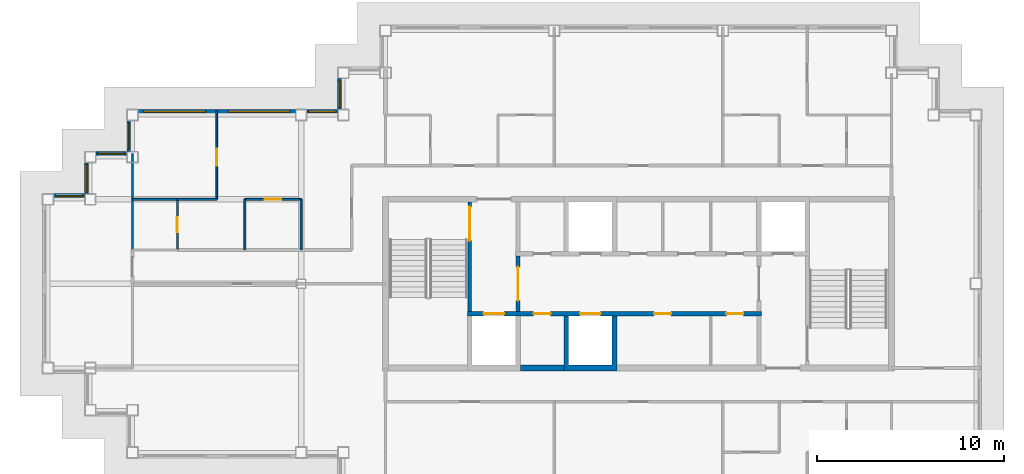
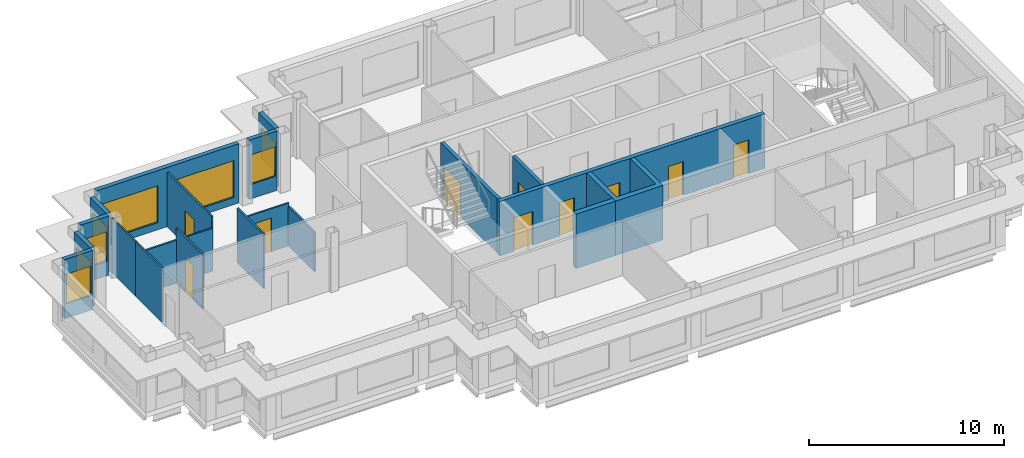
# One storey, part 3 of 11: 21 walls, 10 doors, 8 windows, 18 openings.
"""IFC4 building model written with IfcOpenShell, lengths in metres."""

from ifc_helpers import new_model, si_unit, direction, frame, frame_2d, origin, place, context, subcontext, project, spatial, polyline, rectangle, outline, extrude, material, layer, layer_set, type_object, element, fill, save


model = new_model("IFC4")

# Units and contexts
model_context = context("Model", 3, precision=1e-05, world=origin(), true_north=direction((0.0, 1.0)))
body_context = subcontext(model_context, "Body", "Model", "MODEL_VIEW")
ifc_project = project(units=[si_unit("LENGTHUNIT", "METRE"), si_unit("AREAUNIT", "SQUARE_METRE"), si_unit("VOLUMEUNIT", "CUBIC_METRE"), si_unit("PLANEANGLEUNIT", "RADIAN"), si_unit("MASSUNIT", "GRAM", prefix="KILO")], contexts=[model_context])

# Site, building, storey
site_placement = place(None, origin())
site = spatial("IfcSite", under=ifc_project, at=site_placement, CompositionType="ELEMENT")
building_placement = place(site_placement, origin())
building = spatial("IfcBuilding", under=site, at=building_placement, Name="Caravel Reach Hotel and Residences", CompositionType="ELEMENT")
storey_placement = place(building_placement, frame((0.0, 0.0, 260.10009765625)))
storey = spatial("IfcBuildingStorey", under=building, at=storey_placement, Name="L66", CompositionType="ELEMENT", Elevation=260.10009765625)

# Walls
ifc_material_1 = material(Name="Gypsum board on steel stud", Category="steel")
ifc_layer_1 = layer(ifc_material_1, 0.10009765625)
ifc_layer_set_1 = layer_set([ifc_layer_1], Name="Bathroom pod wall 100 mm")
wall_type_1 = type_object("IfcWallType", Name="Bathroom pod wall 100 mm", PredefinedType="PARTITIONING", material=ifc_layer_set_1)
wall_1_placement = place(storey_placement, frame((4.5, 31.5, 0.0), z_axis=(0.0, 0.0, 1.0), x_axis=(1.0, 0.0, 0.0)))
element("IfcWall", 1, at=wall_1_placement, inside=storey, type_object=wall_type_1, Name="L66 wall w053", PredefinedType="PARTITIONING", context=body_context, shape_type="SweptSolid", body=[
    extrude(rectangle(XDim=2.39990234375, YDim=0.10009765625, at=frame_2d((1.199951171875, 0.0))), origin(), (0.0, 0.0, 1.0), 2.679931640625),
])
wall_2_placement = place(storey_placement, frame((4.5, 28.800048828125, 0.0), z_axis=(0.0, 0.0, 1.0), x_axis=(0.0, 1.0, 0.0)))
element("IfcWall", 2, at=wall_2_placement, inside=storey, type_object=wall_type_1, Name="L66 wall w060", PredefinedType="PARTITIONING", context=body_context, shape_type="SweptSolid", body=[
    extrude(rectangle(XDim=2.699951171875, YDim=0.10009765625, at=frame_2d((1.35009765625, 0.0))), origin(), (0.0, 0.0, 1.0), 3.39990234375),
])

# Wall, opening, door
wall_3_placement = place(storey_placement, frame((6.89990234375, 28.800048828125, 0.0), z_axis=(0.0, 0.0, 1.0), x_axis=(0.0, 1.0, 0.0)))
wall_3 = element("IfcWall", 3, at=wall_3_placement, inside=storey, type_object=wall_type_1, Name="L66 wall w065", PredefinedType="PARTITIONING", context=body_context, shape_type="SweptSolid", body=[
    extrude(rectangle(XDim=2.699951171875, YDim=0.10009765625, at=frame_2d((1.35009765625, 0.0))), origin(), (0.0, 0.0, 1.0), 3.39990234375),
])
opening_1_placement = place(wall_3_placement, frame((0.949951171875, 0.0, 0.0)))
opening_1 = element("IfcOpeningElement", 4, at=opening_1_placement, cuts=wall_3, Name="Opening D66-027", PredefinedType="OPENING", context=body_context, shape_type="SweptSolid", body=[
    extrude(rectangle(XDim=0.800048828125, YDim=2.10009765625, at=frame_2d((0.39990234375, 1.050048828125))), frame((0.0, 0.06005859375, 0.0), z_axis=(0.0, -1.0, 0.0), x_axis=(1.0, 0.0, 0.0)), (0.0, 0.0, 1.0), 0.1201171875),
])
ifc_material_2 = material(Name="Timber and steel door leaf", Category="steel")
door_type_1 = type_object("IfcDoorType", Name="Bathroom door 800 x 2100", OperationType="SINGLE_SWING_LEFT", PredefinedType="DOOR", material=ifc_material_2)
door_1_placement = place(opening_1_placement, origin())
door_1 = element("IfcDoor", 5, at=door_1_placement, inside=storey, type_object=door_type_1, Name="door D66-027", OperationType="SINGLE_SWING_LEFT", OverallHeight=2.10009765625, OverallWidth=0.800048828125, PredefinedType="DOOR", context=body_context, shape_type="SweptSolid", body=[
    extrude(rectangle(XDim=0.800048828125, YDim=2.10009765625, at=frame_2d((0.39990234375, 1.050048828125))), frame((0.0, 0.02490234375, 0.0), z_axis=(0.0, -1.0, 0.0), x_axis=(1.0, 0.0, 0.0)), (0.0, 0.0, 1.0), 0.050048828125),
])
fill(opening_1, door_1)

# Wall
ifc_material_3 = material(Name="Concrete C60", Category="concrete")
ifc_layer_2 = layer(ifc_material_3, 0.300048828125)
ifc_layer_set_2 = layer_set([ifc_layer_2], Name="Core wall 300 mm EI 120")
wall_type_2 = type_object("IfcWallType", Name="Core wall 300 mm EI 120", PredefinedType="SHEAR", material=ifc_layer_set_2)
wall_4_placement = place(storey_placement, frame((25.196533203125, 22.5, 0.0), z_axis=(0.0, 0.0, 1.0), x_axis=(1.0, 0.0, 0.0)))
element("IfcWall", 6, at=wall_4_placement, inside=storey, type_object=wall_type_2, Name="L66 core wall S2", PredefinedType="SHEAR", context=body_context, shape_type="SweptSolid", body=[
    extrude(rectangle(XDim=2.3212890625, YDim=0.300048828125, at=frame_2d((1.16064453125, 0.0))), origin(), (0.0, 0.0, 1.0), 3.39990234375),
])

# Wall, opening, window
ifc_material_4 = material(Name="Insulated rainscreen wall, aluminium cladding", Category="aluminium")
ifc_layer_3 = layer(ifc_material_4, 0.25)
ifc_layer_set_3 = layer_set([ifc_layer_3], Name="EW1 Tower rainscreen wall")
wall_type_3 = type_object("IfcWallType", Name="EW1 Tower rainscreen wall", PredefinedType="SOLIDWALL", material=ifc_layer_set_3)
wall_5_placement = place(storey_placement, frame((15.574951171875, 37.949951171875, 0.0), z_axis=(0.0, 0.0, 1.0), x_axis=(0.0, -1.0, 0.0)))
wall_5 = element("IfcWall", 7, at=wall_5_placement, inside=storey, type_object=wall_type_3, Name="External wall L66 W17.1", PredefinedType="SOLIDWALL", context=body_context, shape_type="SweptSolid", body=[
    extrude(rectangle(XDim=1.64990234375, YDim=0.25, at=frame_2d((0.824951171875, 0.0))), origin(), (0.0, 0.0, 1.0), 3.699951171875),
])
opening_2_placement = place(wall_5_placement, frame((0.10009765625, 0.0, 0.89990234375)))
opening_2 = element("IfcOpeningElement", 8, at=opening_2_placement, cuts=wall_5, Name="Opening WN25", PredefinedType="OPENING", context=body_context, shape_type="SweptSolid", body=[
    extrude(rectangle(XDim=1.449951171875, YDim=1.85009765625, at=frame_2d((0.72509765625, 0.925048828125))), frame((0.0, 0.135009765625, 0.0), z_axis=(0.0, -1.0, 0.0), x_axis=(1.0, 0.0, 0.0)), (0.0, 0.0, 1.0), 0.27001953125),
])
ifc_material_5 = material(Name="Dark low-e glazing in black aluminium frame", Category="aluminium")
window_type_1 = type_object("IfcWindowType", Name="Residence bedroom window 1450 x 1850", PartitioningType="SINGLE_PANEL", PredefinedType="WINDOW", material=ifc_material_5)
window_1_placement = place(opening_2_placement, origin())
window_1 = element("IfcWindow", 9, at=window_1_placement, inside=storey, type_object=window_type_1, Name="Window L66 W17.1.1", OverallHeight=1.85009765625, OverallWidth=1.449951171875, PartitioningType="SINGLE_PANEL", PredefinedType="WINDOW", context=body_context, shape_type="SweptSolid", body=[
    extrude(rectangle(XDim=1.449951171875, YDim=1.85009765625, at=frame_2d((0.72509765625, 0.925048828125))), frame((0.0, 0.030029296875, 0.0), z_axis=(0.0, -1.0, 0.0), x_axis=(1.0, 0.0, 0.0)), (0.0, 0.0, 1.0), 0.06005859375),
])
fill(opening_2, window_1)

wall_6_placement = place(storey_placement, frame((15.449951171875, 36.175048828125, 0.0), z_axis=(0.0, 0.0, 1.0), x_axis=(-1.0, 0.0, 0.0)))
wall_6 = element("IfcWall", 10, at=wall_6_placement, inside=storey, type_object=wall_type_3, Name="External wall L66 N18.1", PredefinedType="SOLIDWALL", context=body_context, shape_type="SweptSolid", body=[
    extrude(rectangle(XDim=1.64990234375, YDim=0.25, at=frame_2d((0.824951171875, 0.0))), origin(), (0.0, 0.0, 1.0), 3.699951171875),
])
opening_3_placement = place(wall_6_placement, frame((0.10009765625, 0.0, 0.89990234375)))
opening_3 = element("IfcOpeningElement", 11, at=opening_3_placement, cuts=wall_6, Name="Opening WN25", PredefinedType="OPENING", context=body_context, shape_type="SweptSolid", body=[
    extrude(rectangle(XDim=1.449951171875, YDim=1.85009765625, at=frame_2d((0.72509765625, 0.925048828125))), frame((0.0, 0.135009765625, 0.0), z_axis=(0.0, -1.0, 0.0), x_axis=(1.0, 0.0, 0.0)), (0.0, 0.0, 1.0), 0.27001953125),
])
window_2_placement = place(opening_3_placement, origin())
window_2 = element("IfcWindow", 12, at=window_2_placement, inside=storey, type_object=window_type_1, Name="Window L66 N18.1.1", OverallHeight=1.85009765625, OverallWidth=1.449951171875, PartitioningType="SINGLE_PANEL", PredefinedType="WINDOW", context=body_context, shape_type="SweptSolid", body=[
    extrude(rectangle(XDim=1.449951171875, YDim=1.85009765625, at=frame_2d((0.72509765625, 0.925048828125))), frame((0.0, 0.030029296875, 0.0), z_axis=(0.0, -1.0, 0.0), x_axis=(1.0, 0.0, 0.0)), (0.0, 0.0, 1.0), 0.06005859375),
])
fill(opening_3, window_2)

# Wall, openings, windows
wall_7_placement = place(storey_placement, frame((13.199951171875, 36.175048828125, 0.0), z_axis=(0.0, 0.0, 1.0), x_axis=(-1.0, 0.0, 0.0)))
wall_7 = element("IfcWall", 13, at=wall_7_placement, inside=storey, type_object=wall_type_3, Name="External wall L66 N18.2", PredefinedType="SOLIDWALL", context=body_context, shape_type="SweptSolid", body=[
    extrude(rectangle(XDim=8.39990234375, YDim=0.25, at=frame_2d((4.199951171875, 0.0))), origin(), (0.0, 0.0, 1.0), 3.699951171875),
])
opening_4_placement = place(wall_7_placement, frame((0.300048828125, 0.0, 0.449951171875)))
opening_4 = element("IfcOpeningElement", 14, at=opening_4_placement, cuts=wall_7, Name="Opening WN15", PredefinedType="OPENING", context=body_context, shape_type="SweptSolid", body=[
    extrude(rectangle(XDim=3.300048828125, YDim=2.300048828125, at=frame_2d((1.64990234375, 1.14990234375))), frame((0.0, 0.135009765625, 0.0), z_axis=(0.0, -1.0, 0.0), x_axis=(1.0, 0.0, 0.0)), (0.0, 0.0, 1.0), 0.27001953125),
])
opening_5_placement = place(wall_7_placement, frame((4.800048828125, 0.0, 0.449951171875)))
opening_5 = element("IfcOpeningElement", 15, at=opening_5_placement, cuts=wall_7, Name="Opening WN15", PredefinedType="OPENING", context=body_context, shape_type="SweptSolid", body=[
    extrude(rectangle(XDim=3.300048828125, YDim=2.300048828125, at=frame_2d((1.64990234375, 1.14990234375))), frame((0.0, 0.135009765625, 0.0), z_axis=(0.0, -1.0, 0.0), x_axis=(1.0, 0.0, 0.0)), (0.0, 0.0, 1.0), 0.27001953125),
])
ifc_material_6 = material(Name="Dark low-e glazing in black aluminium frame", Category="aluminium")
window_type_2 = type_object("IfcWindowType", Name="Residence living window 3300 x 2300", PartitioningType="SINGLE_PANEL", PredefinedType="WINDOW", material=ifc_material_6)
window_3_placement = place(opening_4_placement, origin())
window_3 = element("IfcWindow", 16, at=window_3_placement, inside=storey, type_object=window_type_2, Name="Window L66 N18.2.1", OverallHeight=2.300048828125, OverallWidth=3.300048828125, PartitioningType="SINGLE_PANEL", PredefinedType="WINDOW", context=body_context, shape_type="SweptSolid", body=[
    extrude(rectangle(XDim=3.300048828125, YDim=2.300048828125, at=frame_2d((1.64990234375, 1.14990234375))), frame((0.0, 0.030029296875, 0.0), z_axis=(0.0, -1.0, 0.0), x_axis=(1.0, 0.0, 0.0)), (0.0, 0.0, 1.0), 0.06005859375),
])
fill(opening_4, window_3)
window_4_placement = place(opening_5_placement, origin())
window_4 = element("IfcWindow", 17, at=window_4_placement, inside=storey, type_object=window_type_2, Name="Window L66 N18.2.2", OverallHeight=2.300048828125, OverallWidth=3.300048828125, PartitioningType="SINGLE_PANEL", PredefinedType="WINDOW", context=body_context, shape_type="SweptSolid", body=[
    extrude(rectangle(XDim=3.300048828125, YDim=2.300048828125, at=frame_2d((1.64990234375, 1.14990234375))), frame((0.0, 0.030029296875, 0.0), z_axis=(0.0, -1.0, 0.0), x_axis=(1.0, 0.0, 0.0)), (0.0, 0.0, 1.0), 0.06005859375),
])
fill(opening_5, window_4)

# Wall, opening, window
wall_8_placement = place(storey_placement, frame((4.324951171875, 35.699951171875, 0.0), z_axis=(0.0, 0.0, 1.0), x_axis=(0.0, -1.0, 0.0)))
wall_8 = element("IfcWall", 18, at=wall_8_placement, inside=storey, type_object=wall_type_3, Name="External wall L66 W19.1", PredefinedType="SOLIDWALL", context=body_context, shape_type="SweptSolid", body=[
    extrude(rectangle(XDim=1.64990234375, YDim=0.25, at=frame_2d((0.824951171875, 0.0))), origin(), (0.0, 0.0, 1.0), 3.699951171875),
])
opening_6_placement = place(wall_8_placement, frame((0.10009765625, 0.0, 0.89990234375)))
opening_6 = element("IfcOpeningElement", 19, at=opening_6_placement, cuts=wall_8, Name="Opening WN25", PredefinedType="OPENING", context=body_context, shape_type="SweptSolid", body=[
    extrude(rectangle(XDim=1.449951171875, YDim=1.85009765625, at=frame_2d((0.72509765625, 0.925048828125))), frame((0.0, 0.135009765625, 0.0), z_axis=(0.0, -1.0, 0.0), x_axis=(1.0, 0.0, 0.0)), (0.0, 0.0, 1.0), 0.27001953125),
])
window_5_placement = place(opening_6_placement, origin())
window_5 = element("IfcWindow", 20, at=window_5_placement, inside=storey, type_object=window_type_1, Name="Window L66 W19.1.1", OverallHeight=1.85009765625, OverallWidth=1.449951171875, PartitioningType="SINGLE_PANEL", PredefinedType="WINDOW", context=body_context, shape_type="SweptSolid", body=[
    extrude(rectangle(XDim=1.449951171875, YDim=1.85009765625, at=frame_2d((0.72509765625, 0.925048828125))), frame((0.0, 0.030029296875, 0.0), z_axis=(0.0, -1.0, 0.0), x_axis=(1.0, 0.0, 0.0)), (0.0, 0.0, 1.0), 0.06005859375),
])
fill(opening_6, window_5)

wall_9_placement = place(storey_placement, frame((4.199951171875, 33.925048828125, 0.0), z_axis=(0.0, 0.0, 1.0), x_axis=(-1.0, 0.0, 0.0)))
wall_9 = element("IfcWall", 21, at=wall_9_placement, inside=storey, type_object=wall_type_3, Name="External wall L66 N20.1", PredefinedType="SOLIDWALL", context=body_context, shape_type="SweptSolid", body=[
    extrude(rectangle(XDim=1.64990234375, YDim=0.25, at=frame_2d((0.824951171875, 0.0))), origin(), (0.0, 0.0, 1.0), 3.699951171875),
])
opening_7_placement = place(wall_9_placement, frame((0.10009765625, 0.0, 0.89990234375)))
opening_7 = element("IfcOpeningElement", 22, at=opening_7_placement, cuts=wall_9, Name="Opening WN25", PredefinedType="OPENING", context=body_context, shape_type="SweptSolid", body=[
    extrude(rectangle(XDim=1.449951171875, YDim=1.85009765625, at=frame_2d((0.72509765625, 0.925048828125))), frame((0.0, 0.135009765625, 0.0), z_axis=(0.0, -1.0, 0.0), x_axis=(1.0, 0.0, 0.0)), (0.0, 0.0, 1.0), 0.27001953125),
])
window_6_placement = place(opening_7_placement, origin())
window_6 = element("IfcWindow", 23, at=window_6_placement, inside=storey, type_object=window_type_1, Name="Window L66 N20.1.1", OverallHeight=1.85009765625, OverallWidth=1.449951171875, PartitioningType="SINGLE_PANEL", PredefinedType="WINDOW", context=body_context, shape_type="SweptSolid", body=[
    extrude(rectangle(XDim=1.449951171875, YDim=1.85009765625, at=frame_2d((0.72509765625, 0.925048828125))), frame((0.0, 0.030029296875, 0.0), z_axis=(0.0, -1.0, 0.0), x_axis=(1.0, 0.0, 0.0)), (0.0, 0.0, 1.0), 0.06005859375),
])
fill(opening_7, window_6)

wall_10_placement = place(storey_placement, frame((2.074951171875, 33.449951171875, 0.0), z_axis=(0.0, 0.0, 1.0), x_axis=(0.0, -1.0, 0.0)))
wall_10 = element("IfcWall", 24, at=wall_10_placement, inside=storey, type_object=wall_type_3, Name="External wall L66 W21.1", PredefinedType="SOLIDWALL", context=body_context, shape_type="SweptSolid", body=[
    extrude(rectangle(XDim=1.64990234375, YDim=0.25, at=frame_2d((0.824951171875, 0.0))), origin(), (0.0, 0.0, 1.0), 3.699951171875),
])
opening_8_placement = place(wall_10_placement, frame((0.10009765625, 0.0, 0.89990234375)))
opening_8 = element("IfcOpeningElement", 25, at=opening_8_placement, cuts=wall_10, Name="Opening WN25", PredefinedType="OPENING", context=body_context, shape_type="SweptSolid", body=[
    extrude(rectangle(XDim=1.449951171875, YDim=1.85009765625, at=frame_2d((0.72509765625, 0.925048828125))), frame((0.0, 0.135009765625, 0.0), z_axis=(0.0, -1.0, 0.0), x_axis=(1.0, 0.0, 0.0)), (0.0, 0.0, 1.0), 0.27001953125),
])
window_7_placement = place(opening_8_placement, origin())
window_7 = element("IfcWindow", 26, at=window_7_placement, inside=storey, type_object=window_type_1, Name="Window L66 W21.1.1", OverallHeight=1.85009765625, OverallWidth=1.449951171875, PartitioningType="SINGLE_PANEL", PredefinedType="WINDOW", context=body_context, shape_type="SweptSolid", body=[
    extrude(rectangle(XDim=1.449951171875, YDim=1.85009765625, at=frame_2d((0.72509765625, 0.925048828125))), frame((0.0, 0.030029296875, 0.0), z_axis=(0.0, -1.0, 0.0), x_axis=(1.0, 0.0, 0.0)), (0.0, 0.0, 1.0), 0.06005859375),
])
fill(opening_8, window_7)

wall_11_placement = place(storey_placement, frame((1.949951171875, 31.675048828125, 0.0), z_axis=(0.0, 0.0, 1.0), x_axis=(-1.0, 0.0, 0.0)))
wall_11 = element("IfcWall", 27, at=wall_11_placement, inside=storey, type_object=wall_type_3, Name="External wall L66 N22.1", PredefinedType="SOLIDWALL", context=body_context, shape_type="SweptSolid", body=[
    extrude(rectangle(XDim=1.64990234375, YDim=0.25, at=frame_2d((0.824951171875, 0.0))), origin(), (0.0, 0.0, 1.0), 3.699951171875),
])
opening_9_placement = place(wall_11_placement, frame((0.10009765625, 0.0, 0.89990234375)))
opening_9 = element("IfcOpeningElement", 28, at=opening_9_placement, cuts=wall_11, Name="Opening WN25", PredefinedType="OPENING", context=body_context, shape_type="SweptSolid", body=[
    extrude(rectangle(XDim=1.449951171875, YDim=1.85009765625, at=frame_2d((0.72509765625, 0.925048828125))), frame((0.0, 0.135009765625, 0.0), z_axis=(0.0, -1.0, 0.0), x_axis=(1.0, 0.0, 0.0)), (0.0, 0.0, 1.0), 0.27001953125),
])
window_8_placement = place(opening_9_placement, origin())
window_8 = element("IfcWindow", 29, at=window_8_placement, inside=storey, type_object=window_type_1, Name="Window L66 N22.1.1", OverallHeight=1.85009765625, OverallWidth=1.449951171875, PartitioningType="SINGLE_PANEL", PredefinedType="WINDOW", context=body_context, shape_type="SweptSolid", body=[
    extrude(rectangle(XDim=1.449951171875, YDim=1.85009765625, at=frame_2d((0.72509765625, 0.925048828125))), frame((0.0, 0.030029296875, 0.0), z_axis=(0.0, -1.0, 0.0), x_axis=(1.0, 0.0, 0.0)), (0.0, 0.0, 1.0), 0.06005859375),
])
fill(opening_9, window_8)

# Wall, opening, door
ifc_material_7 = material(Name="Autoclaved aerated block wall")
ifc_layer_4 = layer(ifc_material_7, 0.199951171875)
ifc_layer_set_4 = layer_set([ifc_layer_4], Name="Fire lobby wall 200 mm EI 120")
wall_type_4 = type_object("IfcWallType", Name="Fire lobby wall 200 mm EI 120", PredefinedType="PARTITIONING", material=ifc_layer_set_4)
wall_12_placement = place(storey_placement, frame((25.071533203125, 25.52490234375, 0.0), z_axis=(0.0, 0.0, 1.0), x_axis=(0.0, 1.0, 0.0)))
wall_12 = element("IfcWall", 30, at=wall_12_placement, inside=storey, type_object=wall_type_4, Name="L66 lobby W wall", PredefinedType="PARTITIONING", context=body_context, shape_type="SweptSolid", body=[
    extrude(rectangle(XDim=2.9501953125, YDim=0.199951171875, at=frame_2d((1.47509765625, 0.0))), origin(), (0.0, 0.0, 1.0), 3.39990234375),
])
opening_10_placement = place(wall_12_placement, frame((0.574951171875, 0.0, 0.0)))
opening_10 = element("IfcOpeningElement", 31, at=opening_10_placement, cuts=wall_12, Name="Opening D66-014", PredefinedType="OPENING", context=body_context, shape_type="SweptSolid", body=[
    extrude(rectangle(XDim=1.800048828125, YDim=2.10009765625, at=frame_2d((0.89990234375, 1.050048828125))), frame((0.0, 0.10986328125, 0.0), z_axis=(0.0, -1.0, 0.0), x_axis=(1.0, 0.0, 0.0)), (0.0, 0.0, 1.0), 0.219970703125),
])
ifc_material_8 = material(Name="Steel fire door leaf", Category="steel")
door_type_2 = type_object("IfcDoorType", Name="Fire lobby door pair 1800 x 2100 EI 90", OperationType="DOUBLE_DOOR_SINGLE_SWING", PredefinedType="DOOR", material=ifc_material_8)
door_2_placement = place(opening_10_placement, origin())
door_2 = element("IfcDoor", 32, at=door_2_placement, inside=storey, type_object=door_type_2, Name="lobby W door pair", OperationType="DOUBLE_DOOR_SINGLE_SWING", OverallHeight=2.10009765625, OverallWidth=1.800048828125, PredefinedType="DOOR", context=body_context, shape_type="SweptSolid", body=[
    extrude(rectangle(XDim=1.800048828125, YDim=2.10009765625, at=frame_2d((0.89990234375, 1.050048828125))), frame((0.0, 0.02490234375, 0.0), z_axis=(0.0, -1.0, 0.0), x_axis=(1.0, 0.0, 0.0)), (0.0, 0.0, 1.0), 0.050048828125),
])
fill(opening_10, door_2)

# Wall
ifc_material_9 = material(Name="Gypsum board on steel stud", Category="steel")
ifc_layer_5 = layer(ifc_material_9, 0.10009765625)
ifc_layer_set_5 = layer_set([ifc_layer_5], Name="Partition 100 mm")
wall_type_5 = type_object("IfcWallType", Name="Partition 100 mm", PredefinedType="PARTITIONING", material=ifc_layer_set_5)
wall_13_placement = place(storey_placement, frame((6.89990234375, 31.5, 0.0), z_axis=(0.0, 0.0, 1.0), x_axis=(1.0, 0.0, 0.0)))
element("IfcWall", 33, at=wall_13_placement, inside=storey, type_object=wall_type_5, Name="L66 wall w024", PredefinedType="PARTITIONING", context=body_context, shape_type="SweptSolid", body=[
    extrude(rectangle(XDim=2.10009765625, YDim=0.10009765625, at=frame_2d((1.050048828125, 0.0))), origin(), (0.0, 0.0, 1.0), 2.679931640625),
])

# Wall, opening, door
wall_14_placement = place(storey_placement, frame((10.5, 31.5, 0.0), z_axis=(0.0, 0.0, 1.0), x_axis=(1.0, 0.0, 0.0)))
wall_14 = element("IfcWall", 34, at=wall_14_placement, inside=storey, type_object=wall_type_5, Name="L66 wall w025", PredefinedType="PARTITIONING", context=body_context, shape_type="SweptSolid", body=[
    extrude(rectangle(XDim=3.0, YDim=0.10009765625, at=frame_2d((1.5, 0.0))), origin(), (0.0, 0.0, 1.0), 2.679931640625),
])
opening_11_placement = place(wall_14_placement, frame((1.050048828125, 0.0, 0.0)))
opening_11 = element("IfcOpeningElement", 35, at=opening_11_placement, cuts=wall_14, Name="Opening D66-028", PredefinedType="OPENING", context=body_context, shape_type="SweptSolid", body=[
    extrude(rectangle(XDim=0.89990234375, YDim=2.10009765625, at=frame_2d((0.449951171875, 1.050048828125))), frame((0.0, 0.06005859375, 0.0), z_axis=(0.0, -1.0, 0.0), x_axis=(1.0, 0.0, 0.0)), (0.0, 0.0, 1.0), 0.1201171875),
])
ifc_material_10 = material(Name="Timber and steel door leaf", Category="steel")
door_type_3 = type_object("IfcDoorType", Name="Door 900 x 2100 timber", OperationType="SINGLE_SWING_LEFT", PredefinedType="DOOR", material=ifc_material_10)
door_3_placement = place(opening_11_placement, origin())
door_3 = element("IfcDoor", 36, at=door_3_placement, inside=storey, type_object=door_type_3, Name="door D66-028", OperationType="SINGLE_SWING_RIGHT", OverallHeight=2.10009765625, OverallWidth=0.89990234375, PredefinedType="DOOR", context=body_context, shape_type="SweptSolid", body=[
    extrude(rectangle(XDim=0.89990234375, YDim=2.10009765625, at=frame_2d((0.449951171875, 1.050048828125))), frame((0.0, 0.02490234375, 0.0), z_axis=(0.0, -1.0, 0.0), x_axis=(1.0, 0.0, 0.0)), (0.0, 0.0, 1.0), 0.050048828125),
])
fill(opening_11, door_3)

# Walls
wall_15_placement = place(storey_placement, frame((10.5, 28.800048828125, 0.0), z_axis=(0.0, 0.0, 1.0), x_axis=(0.0, 1.0, 0.0)))
element("IfcWall", 37, at=wall_15_placement, inside=storey, type_object=wall_type_5, Name="L66 wall w029", PredefinedType="PARTITIONING", context=body_context, shape_type="SweptSolid", body=[
    extrude(rectangle(XDim=2.699951171875, YDim=0.10009765625, at=frame_2d((1.35009765625, 0.0))), origin(), (0.0, 0.0, 1.0), 3.39990234375),
])
wall_16_placement = place(storey_placement, frame((13.5, 28.801025390625, 0.0), z_axis=(0.0, 0.0, 1.0), x_axis=(0.0, 1.0, 0.0)))
element("IfcWall", 38, at=wall_16_placement, inside=storey, type_object=wall_type_5, Name="L66 wall w030", PredefinedType="PARTITIONING", context=body_context, shape_type="SweptSolid", body=[
    extrude(rectangle(XDim=2.698974609375, YDim=0.10009765625, at=frame_2d((1.349609375, 0.0))), origin(), (0.0, 0.0, 1.0), 2.47998046875),
])
wall_17_placement = place(storey_placement, frame((4.5, 31.5009765625, 0.0), z_axis=(0.0, 0.0, 1.0), x_axis=(0.0, 1.0, 0.0)))
element("IfcWall", 39, at=wall_17_placement, inside=storey, type_object=wall_type_5, Name="L66 wall w043", PredefinedType="PARTITIONING", context=body_context, shape_type="SweptSolid", body=[
    extrude(rectangle(XDim=2.43896484375, YDim=0.10009765625, at=frame_2d((1.219482421875, 0.0))), origin(), (0.0, 0.0, 1.0), 3.39990234375),
])

# Wall, opening, door
wall_18_placement = place(storey_placement, frame((9.0, 31.5, 0.0), z_axis=(0.0, 0.0, 1.0), x_axis=(0.0, 1.0, 0.0)))
wall_18 = element("IfcWall", 40, at=wall_18_placement, inside=storey, type_object=wall_type_5, Name="L66 wall w048", PredefinedType="PARTITIONING", context=body_context, shape_type="SweptSolid", body=[
    extrude(rectangle(XDim=4.739990234375, YDim=0.10009765625, at=frame_2d((2.3701171875, 0.0))), origin(), (0.0, 0.0, 1.0), 3.39990234375),
])
opening_12_placement = place(wall_18_placement, frame((1.800048828125, 0.0, 0.0)))
opening_12 = element("IfcOpeningElement", 41, at=opening_12_placement, cuts=wall_18, Name="Opening D66-029", PredefinedType="OPENING", context=body_context, shape_type="SweptSolid", body=[
    extrude(rectangle(XDim=0.89990234375, YDim=2.10009765625, at=frame_2d((0.449951171875, 1.050048828125))), frame((0.0, 0.06005859375, 0.0), z_axis=(0.0, -1.0, 0.0), x_axis=(1.0, 0.0, 0.0)), (0.0, 0.0, 1.0), 0.1201171875),
])
door_4_placement = place(opening_12_placement, origin())
door_4 = element("IfcDoor", 42, at=door_4_placement, inside=storey, type_object=door_type_3, Name="door D66-029", OperationType="SINGLE_SWING_RIGHT", OverallHeight=2.10009765625, OverallWidth=0.89990234375, PredefinedType="DOOR", context=body_context, shape_type="SweptSolid", body=[
    extrude(rectangle(XDim=0.89990234375, YDim=2.10009765625, at=frame_2d((0.449951171875, 1.050048828125))), frame((0.0, 0.02490234375, 0.0), z_axis=(0.0, -1.0, 0.0), x_axis=(1.0, 0.0, 0.0)), (0.0, 0.0, 1.0), 0.050048828125),
])
fill(opening_12, door_4)

# Wall
ifc_material_11 = material(Name="Concrete C60", Category="concrete")
ifc_layer_6 = layer(ifc_material_11, 0.25)
ifc_layer_set_6 = layer_set([ifc_layer_6], Name="Shaft wall 250 mm EI 120")
wall_type_6 = type_object("IfcWallType", Name="Shaft wall 250 mm EI 120", PredefinedType="SHEAR", material=ifc_layer_set_6)
wall_19_placement = place(storey_placement, origin())
element("IfcWall", 43, at=wall_19_placement, inside=storey, type_object=wall_type_6, Name="L66 lift shaft wall S2", PredefinedType="SHEAR", context=body_context, shape_type="SweptSolid", body=[
    extrude(outline(polyline([(27.517822265625, 22.35009765625), (30.33935546875, 22.35009765625), (30.33935546875, 25.27490234375), (30.08935546875, 25.27490234375), (30.08935546875, 22.64990234375), (27.767822265625, 22.64990234375), (27.767822265625, 25.27490234375), (27.517822265625, 25.27490234375), (27.517822265625, 22.35009765625)])), origin(), (0.0, 0.0, 1.0), 3.39990234375),
])

# Wall, openings, doors
wall_20_placement = place(storey_placement, frame((22.375, 25.39990234375, 0.0), z_axis=(0.0, 0.0, 1.0), x_axis=(1.0, 0.0, 0.0)))
wall_20 = element("IfcWall", 44, at=wall_20_placement, inside=storey, type_object=wall_type_6, Name="L66 lobby wall S1", PredefinedType="SHEAR", context=body_context, shape_type="SweptSolid", body=[
    extrude(rectangle(XDim=15.678466796875, YDim=0.25, at=frame_2d((7.83935546875, 0.0))), origin(), (0.0, 0.0, 1.0), 3.39990234375),
])
opening_13_placement = place(wall_20_placement, frame((6.003662109375, 0.0, 0.0)))
opening_13 = element("IfcOpeningElement", 45, at=opening_13_placement, cuts=wall_20, Name="Opening D66-001", PredefinedType="OPENING", context=body_context, shape_type="SweptSolid", body=[
    extrude(rectangle(XDim=1.10009765625, YDim=2.10009765625, at=frame_2d((0.550048828125, 1.050048828125))), frame((0.0, 0.135009765625, 0.0), z_axis=(0.0, -1.0, 0.0), x_axis=(1.0, 0.0, 0.0)), (0.0, 0.0, 1.0), 0.27001953125),
])
opening_14_placement = place(wall_20_placement, frame((0.860595703125, 0.0, 0.0)))
opening_14 = element("IfcOpeningElement", 46, at=opening_14_placement, cuts=wall_20, Name="Opening D66-003", PredefinedType="OPENING", context=body_context, shape_type="SweptSolid", body=[
    extrude(rectangle(XDim=1.10009765625, YDim=2.10009765625, at=frame_2d((0.550048828125, 1.050048828125))), frame((0.0, 0.135009765625, 0.0), z_axis=(0.0, -1.0, 0.0), x_axis=(1.0, 0.0, 0.0)), (0.0, 0.0, 1.0), 0.27001953125),
])
opening_15_placement = place(wall_20_placement, frame((3.531982421875, 0.0, 0.0)))
opening_15 = element("IfcOpeningElement", 47, at=opening_15_placement, cuts=wall_20, Name="Opening D66-005", PredefinedType="OPENING", context=body_context, shape_type="SweptSolid", body=[
    extrude(rectangle(XDim=0.89990234375, YDim=2.10009765625, at=frame_2d((0.449951171875, 1.050048828125))), frame((0.0, 0.135009765625, 0.0), z_axis=(0.0, -1.0, 0.0), x_axis=(1.0, 0.0, 0.0)), (0.0, 0.0, 1.0), 0.27001953125),
])
opening_16_placement = place(wall_20_placement, frame((9.960693359375, 0.0, 0.0)))
opening_16 = element("IfcOpeningElement", 48, at=opening_16_placement, cuts=wall_20, Name="Opening D66-006", PredefinedType="OPENING", context=body_context, shape_type="SweptSolid", body=[
    extrude(rectangle(XDim=0.89990234375, YDim=2.10009765625, at=frame_2d((0.449951171875, 1.050048828125))), frame((0.0, 0.135009765625, 0.0), z_axis=(0.0, -1.0, 0.0), x_axis=(1.0, 0.0, 0.0)), (0.0, 0.0, 1.0), 0.27001953125),
])
opening_17_placement = place(wall_20_placement, frame((13.81787109375, 0.0, 0.0)))
opening_17 = element("IfcOpeningElement", 49, at=opening_17_placement, cuts=wall_20, Name="Opening D66-007", PredefinedType="OPENING", context=body_context, shape_type="SweptSolid", body=[
    extrude(rectangle(XDim=0.89990234375, YDim=2.10009765625, at=frame_2d((0.449951171875, 1.050048828125))), frame((0.0, 0.135009765625, 0.0), z_axis=(0.0, -1.0, 0.0), x_axis=(1.0, 0.0, 0.0)), (0.0, 0.0, 1.0), 0.27001953125),
])
ifc_material_12 = material(Name="Stainless steel landing door", Category="steel")
door_type_4 = type_object("IfcDoorType", Name="Landing door LD 1100 x 2100 sliding", OperationType="DOUBLE_DOOR_SLIDING", PredefinedType="DOOR", material=ifc_material_12)
door_5_placement = place(opening_13_placement, origin())
door_5 = element("IfcDoor", 50, at=door_5_placement, inside=storey, type_object=door_type_4, Name="HP1 landing door", OperationType="DOUBLE_DOOR_SLIDING", OverallHeight=2.10009765625, OverallWidth=1.10009765625, PredefinedType="DOOR", context=body_context, shape_type="SweptSolid", body=[
    extrude(rectangle(XDim=1.10009765625, YDim=2.10009765625, at=frame_2d((0.550048828125, 1.050048828125))), frame((0.0, 0.02490234375, 0.0), z_axis=(0.0, -1.0, 0.0), x_axis=(1.0, 0.0, 0.0)), (0.0, 0.0, 1.0), 0.050048828125),
])
fill(opening_13, door_5)
door_6_placement = place(opening_14_placement, origin())
door_6 = element("IfcDoor", 51, at=door_6_placement, inside=storey, type_object=door_type_4, Name="FL1 landing door", OperationType="DOUBLE_DOOR_SLIDING", OverallHeight=2.10009765625, OverallWidth=1.10009765625, PredefinedType="DOOR", context=body_context, shape_type="SweptSolid", body=[
    extrude(rectangle(XDim=1.10009765625, YDim=2.10009765625, at=frame_2d((0.550048828125, 1.050048828125))), frame((0.0, 0.02490234375, 0.0), z_axis=(0.0, -1.0, 0.0), x_axis=(1.0, 0.0, 0.0)), (0.0, 0.0, 1.0), 0.050048828125),
])
fill(opening_14, door_6)
ifc_material_13 = material(Name="Steel fire door leaf", Category="steel")
door_type_5 = type_object("IfcDoorType", Name="Riser door 900 x 2100 EI 60", OperationType="SINGLE_SWING_LEFT", PredefinedType="DOOR", material=ifc_material_13)
door_7_placement = place(opening_15_placement, origin())
door_7 = element("IfcDoor", 52, at=door_7_placement, inside=storey, type_object=door_type_5, Name="Mail store door", OperationType="SINGLE_SWING_LEFT", OverallHeight=2.10009765625, OverallWidth=0.89990234375, PredefinedType="DOOR", context=body_context, shape_type="SweptSolid", body=[
    extrude(rectangle(XDim=0.89990234375, YDim=2.10009765625, at=frame_2d((0.449951171875, 1.050048828125))), frame((0.0, 0.02490234375, 0.0), z_axis=(0.0, -1.0, 0.0), x_axis=(1.0, 0.0, 0.0)), (0.0, 0.0, 1.0), 0.050048828125),
])
fill(opening_15, door_7)
door_8_placement = place(opening_16_placement, origin())
door_8 = element("IfcDoor", 53, at=door_8_placement, inside=storey, type_object=door_type_5, Name="Package store door", OperationType="SINGLE_SWING_LEFT", OverallHeight=2.10009765625, OverallWidth=0.89990234375, PredefinedType="DOOR", context=body_context, shape_type="SweptSolid", body=[
    extrude(rectangle(XDim=0.89990234375, YDim=2.10009765625, at=frame_2d((0.449951171875, 1.050048828125))), frame((0.0, 0.02490234375, 0.0), z_axis=(0.0, -1.0, 0.0), x_axis=(1.0, 0.0, 0.0)), (0.0, 0.0, 1.0), 0.050048828125),
])
fill(opening_16, door_8)
door_9_placement = place(opening_17_placement, origin())
door_9 = element("IfcDoor", 54, at=door_9_placement, inside=storey, type_object=door_type_5, Name="Water tank room door", OperationType="SINGLE_SWING_LEFT", OverallHeight=2.10009765625, OverallWidth=0.89990234375, PredefinedType="DOOR", context=body_context, shape_type="SweptSolid", body=[
    extrude(rectangle(XDim=0.89990234375, YDim=2.10009765625, at=frame_2d((0.449951171875, 1.050048828125))), frame((0.0, 0.02490234375, 0.0), z_axis=(0.0, -1.0, 0.0), x_axis=(1.0, 0.0, 0.0)), (0.0, 0.0, 1.0), 0.050048828125),
])
fill(opening_17, door_9)

# Wall, opening, door
ifc_material_14 = material(Name="Concrete C60", Category="concrete")
ifc_layer_7 = layer(ifc_material_14, 0.199951171875)
ifc_layer_set_7 = layer_set([ifc_layer_7], Name="Stair enclosure wall 200 mm EI 120")
wall_type_7 = type_object("IfcWallType", Name="Stair enclosure wall 200 mm EI 120", PredefinedType="SHEAR", material=ifc_layer_set_7)
wall_21_placement = place(storey_placement, frame((22.5, 31.35009765625, 0.0), z_axis=(0.0, 0.0, 1.0), x_axis=(0.0, -1.0, 0.0)))
wall_21 = element("IfcWall", 55, at=wall_21_placement, inside=storey, type_object=wall_type_7, Name="L66 stair A wall", PredefinedType="SHEAR", context=body_context, shape_type="SweptSolid", body=[
    extrude(rectangle(XDim=5.8251953125, YDim=0.199951171875, at=frame_2d((2.91259765625, 0.0))), origin(), (0.0, 0.0, 1.0), 3.39990234375),
])
opening_18_placement = place(wall_21_placement, frame((0.25, 0.0, 0.0)))
opening_18 = element("IfcOpeningElement", 56, at=opening_18_placement, cuts=wall_21, Name="Opening D66-012", PredefinedType="OPENING", context=body_context, shape_type="SweptSolid", body=[
    extrude(rectangle(XDim=1.800048828125, YDim=2.10009765625, at=frame_2d((0.89990234375, 1.050048828125))), frame((0.0, 0.10986328125, 0.0), z_axis=(0.0, -1.0, 0.0), x_axis=(1.0, 0.0, 0.0)), (0.0, 0.0, 1.0), 0.219970703125),
])
ifc_material_15 = material(Name="Steel fire door leaf", Category="steel")
door_type_6 = type_object("IfcDoorType", Name="Stair door pair 1800 x 2100 EI 90", OperationType="DOUBLE_DOOR_SINGLE_SWING", PredefinedType="DOOR", material=ifc_material_15)
door_10_placement = place(opening_18_placement, origin())
door_10 = element("IfcDoor", 57, at=door_10_placement, inside=storey, type_object=door_type_6, Name="stair A door pair", OperationType="DOUBLE_DOOR_SINGLE_SWING", OverallHeight=2.10009765625, OverallWidth=1.800048828125, PredefinedType="DOOR", context=body_context, shape_type="SweptSolid", body=[
    extrude(rectangle(XDim=1.800048828125, YDim=2.10009765625, at=frame_2d((0.89990234375, 1.050048828125))), frame((0.0, 0.02490234375, 0.0), z_axis=(0.0, -1.0, 0.0), x_axis=(1.0, 0.0, 0.0)), (0.0, 0.0, 1.0), 0.050048828125),
])
fill(opening_18, door_10)

save(model, "model.ifc")
